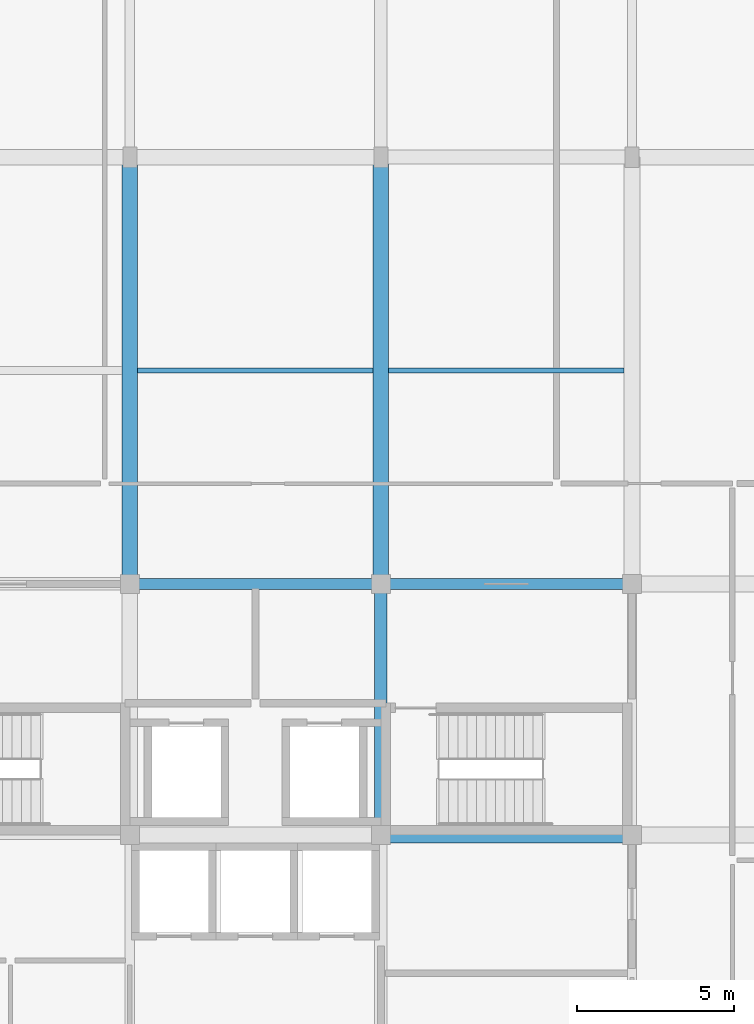
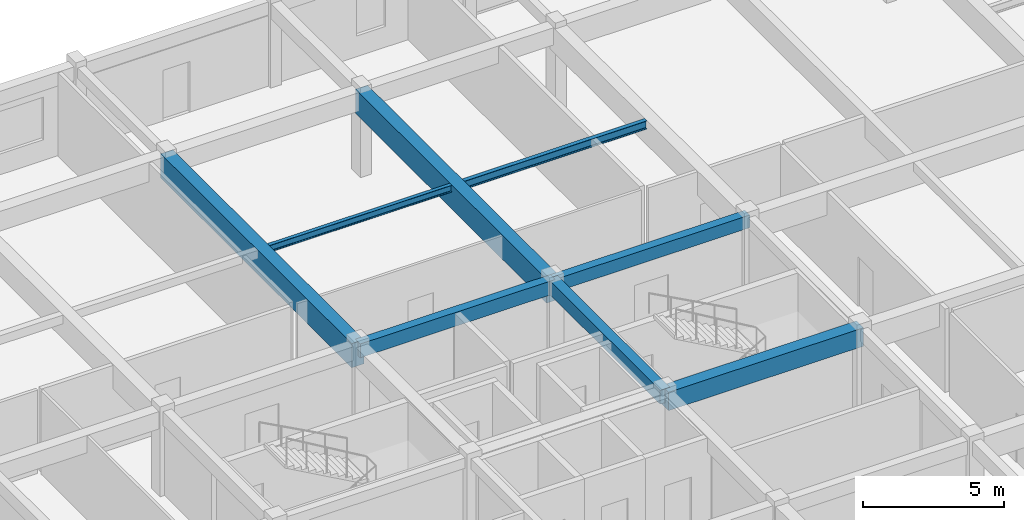
# One storey, part 4 of 13: 8 beams.
"""IFC4 building model written with IfcOpenShell, lengths in metres."""

from ifc_helpers import new_model, si_unit, direction, frame, origin, origin_2d, place, context, subcontext, project, spatial, rectangle, i_section, extrude, material, material_profile, profile_set, type_object, element, save


model = new_model("IFC4")

# Units and contexts
model_context = context("Model", 3, precision=1e-05, world=origin(), true_north=direction((0.0, 1.0)))
body_context = subcontext(model_context, "Body", "Model", "MODEL_VIEW")
ifc_project = project(units=[si_unit("LENGTHUNIT", "METRE"), si_unit("AREAUNIT", "SQUARE_METRE"), si_unit("VOLUMEUNIT", "CUBIC_METRE"), si_unit("PLANEANGLEUNIT", "RADIAN"), si_unit("MASSUNIT", "GRAM", prefix="KILO")], contexts=[model_context])

# Site, building, storey
site_placement = place(None, origin())
site = spatial("IfcSite", under=ifc_project, at=site_placement, CompositionType="ELEMENT")
building_placement = place(site_placement, origin())
building = spatial("IfcBuilding", under=site, at=building_placement, Name="Vellmiral Cinema and Media Centre", CompositionType="ELEMENT")
storey_placement = place(building_placement, frame((0.0, 0.0, 54.800048828125)))
storey = spatial("IfcBuildingStorey", under=building, at=storey_placement, Name="L13", CompositionType="ELEMENT", Elevation=54.800048828125)

# Beams
ifc_material_1 = material(Name="Concrete C40/50", Category="concrete")
ifc_material_profile_1 = material_profile(ifc_material_1, rectangle(XDim=0.35009765625, YDim=0.550048828125, at=origin_2d()), Name="RC 350x550")
ifc_profile_set_1 = profile_set([ifc_material_profile_1], Name="Concrete C40/50")
beam_type_1 = type_object("IfcBeamType", Name="BM-RC-350x550", PredefinedType="BEAM", material=ifc_profile_set_1)
beam_1_placement = place(storey_placement, frame((140.0, 95.199951171875, 3.3798828125), z_axis=(1.0, 0.0, 0.0), x_axis=(0.0, 1.0, 0.0)))
element("IfcBeam", 1, at=beam_1_placement, inside=storey, type_object=beam_type_1, Name="Grid Beam L13-X022", PredefinedType="BEAM", context=body_context, shape_type="SweptSolid", body=[
    extrude(rectangle(XDim=0.35009765625, YDim=0.550048828125, at=origin_2d()), origin(), (0.0, 0.0, 1.0), 8.0),
])
ifc_material_2 = material(Name="Concrete C40/50", Category="concrete")
ifc_material_profile_2 = material_profile(ifc_material_2, rectangle(XDim=0.35009765625, YDim=0.60009765625, at=origin_2d()), Name="RC 350x600")
ifc_profile_set_2 = profile_set([ifc_material_profile_2], Name="Concrete C40/50")
beam_type_2 = type_object("IfcBeamType", Name="BM-RC-350x600", PredefinedType="BEAM", material=ifc_profile_set_2)
beam_2_placement = place(storey_placement, frame((132.0, 95.199951171875, 3.35498046875), z_axis=(1.0, 0.0, 0.0), x_axis=(0.0, 1.0, 0.0)))
element("IfcBeam", 2, at=beam_2_placement, inside=storey, type_object=beam_type_2, Name="Grid Beam L13-X021", PredefinedType="BEAM", context=body_context, shape_type="SweptSolid", body=[
    extrude(rectangle(XDim=0.35009765625, YDim=0.60009765625, at=origin_2d()), origin(), (0.0, 0.0, 1.0), 8.0),
])
ifc_material_3 = material(Name="Concrete C40/50", Category="concrete")
ifc_material_profile_3 = material_profile(ifc_material_3, rectangle(XDim=0.39990234375, YDim=0.60009765625, at=origin_2d()), Name="RC 400x600")
ifc_profile_set_3 = profile_set([ifc_material_profile_3], Name="Concrete C40/50")
beam_type_3 = type_object("IfcBeamType", Name="BM-RC-400x600", PredefinedType="BEAM", material=ifc_profile_set_3)
beam_3_placement = place(storey_placement, frame((140.0, 87.199951171875, 3.35498046875), z_axis=(0.0, 1.0, 0.0), x_axis=(-1.0, 0.0, 0.0)))
element("IfcBeam", 3, at=beam_3_placement, inside=storey, type_object=beam_type_3, Name="Grid Beam L13-Y053", PredefinedType="BEAM", context=body_context, shape_type="SweptSolid", body=[
    extrude(rectangle(XDim=0.39990234375, YDim=0.60009765625, at=origin_2d()), origin(), (0.0, 0.0, 1.0), 8.0),
])
ifc_material_4 = material(Name="Concrete C40/50", Category="concrete")
ifc_material_profile_4 = material_profile(ifc_material_4, rectangle(XDim=0.5, YDim=0.800048828125, at=origin_2d()), Name="RC 500x800")
ifc_profile_set_4 = profile_set([ifc_material_profile_4], Name="Concrete C40/50")
beam_type_4 = type_object("IfcBeamType", Name="BM-RC-500x800", PredefinedType="BEAM", material=ifc_profile_set_4)
beam_4_placement = place(storey_placement, frame((140.0, 87.199951171875, 3.2548828125), z_axis=(1.0, 0.0, 0.0), x_axis=(0.0, 1.0, 0.0)))
element("IfcBeam", 4, at=beam_4_placement, inside=storey, type_object=beam_type_4, Name="Grid Beam L13-X016", PredefinedType="BEAM", context=body_context, shape_type="SweptSolid", body=[
    extrude(rectangle(XDim=0.5, YDim=0.800048828125, at=origin_2d()), origin(), (0.0, 0.0, 1.0), 8.0),
])
ifc_material_5 = material(Name="Concrete C40/50", Category="concrete")
ifc_material_profile_5 = material_profile(ifc_material_5, rectangle(XDim=0.5, YDim=1.050048828125, at=origin_2d()), Name="RC 500x1050")
ifc_profile_set_5 = profile_set([ifc_material_profile_5], Name="Concrete C40/50")
beam_type_5 = type_object("IfcBeamType", Name="BM-RCG-500x1050", PredefinedType="BEAM", material=ifc_profile_set_5)
for number, where, z_axis, x_axis, name in (
    (5, (132.0, 95.199951171875, 3.1298828125), (0.0, 1.0, 0.0), (-1.0, 0.0, 0.0), "Grid Beam L13-Y049"),
    (6, (140.0, 95.199951171875, 3.1298828125), (0.0, 1.0, 0.0), (-1.0, 0.0, 0.0), "Grid Beam L13-Y054"),
):
    element("IfcBeam", number, at=place(storey_placement, frame(where, z_axis=z_axis, x_axis=x_axis)), inside=storey, type_object=beam_type_5, Name=name, PredefinedType="BEAM", context=body_context, shape_type="SweptSolid", body=[
        extrude(rectangle(XDim=0.5, YDim=1.050048828125, at=origin_2d()), origin(), (0.0, 0.0, 1.0), 13.60009765625),
    ])
ifc_material_6 = material(Name="Steel S355", Category="steel")
ifc_material_profile_6 = material_profile(ifc_material_6, i_section(OverallWidth=0.14990234375, OverallDepth=0.300048828125, WebThickness=0.007080078125, FlangeThickness=0.0107421875, FilletRadius=0.014892578125, at=origin_2d()), Name="IPE 300")
ifc_profile_set_6 = profile_set([ifc_material_profile_6], Name="Steel S355")
beam_type_6 = type_object("IfcBeamType", Name="SBM-IPE300", PredefinedType="JOIST", material=ifc_profile_set_6)
beam_5_placement = place(storey_placement, frame((132.25, 102.0, 3.5048828125), z_axis=(1.0, 0.0, 0.0), x_axis=(0.0, 1.0, 0.0)))
element("IfcBeam", 7, at=beam_5_placement, inside=storey, type_object=beam_type_6, Name="Secondary Floor Joist L13-003", PredefinedType="JOIST", context=body_context, shape_type="SweptSolid", body=[
    extrude(i_section(OverallWidth=0.14990234375, OverallDepth=0.300048828125, WebThickness=0.007080078125, FlangeThickness=0.0107421875, FilletRadius=0.014892578125, at=origin_2d()), origin(), (0.0, 0.0, 1.0), 7.5),
])
ifc_material_7 = material(Name="Steel S355", Category="steel")
ifc_material_profile_7 = material_profile(ifc_material_7, i_section(OverallWidth=0.169921875, OverallDepth=0.360107421875, WebThickness=0.008056640625, FlangeThickness=0.0126953125, FilletRadius=0.01806640625, at=origin_2d()), Name="IPE 360")
ifc_profile_set_7 = profile_set([ifc_material_profile_7], Name="Steel S355")
beam_type_7 = type_object("IfcBeamType", Name="SBM-IPE360", PredefinedType="JOIST", material=ifc_profile_set_7)
beam_6_placement = place(storey_placement, frame((140.25, 102.0, 3.474853515625), z_axis=(1.0, 0.0, 0.0), x_axis=(0.0, 1.0, 0.0)))
element("IfcBeam", 8, at=beam_6_placement, inside=storey, type_object=beam_type_7, Name="Secondary Floor Joist L13-004", PredefinedType="JOIST", context=body_context, shape_type="SweptSolid", body=[
    extrude(i_section(OverallWidth=0.169921875, OverallDepth=0.360107421875, WebThickness=0.008056640625, FlangeThickness=0.0126953125, FilletRadius=0.01806640625, at=origin_2d()), origin(), (0.0, 0.0, 1.0), 7.5),
])

save(model, "model.ifc")
